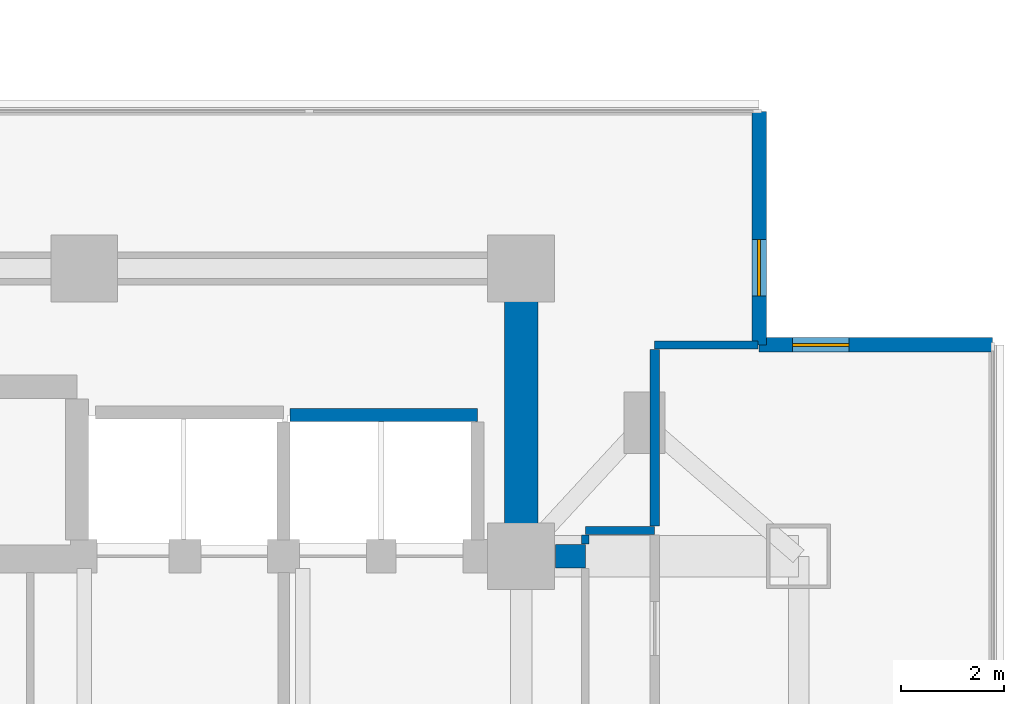
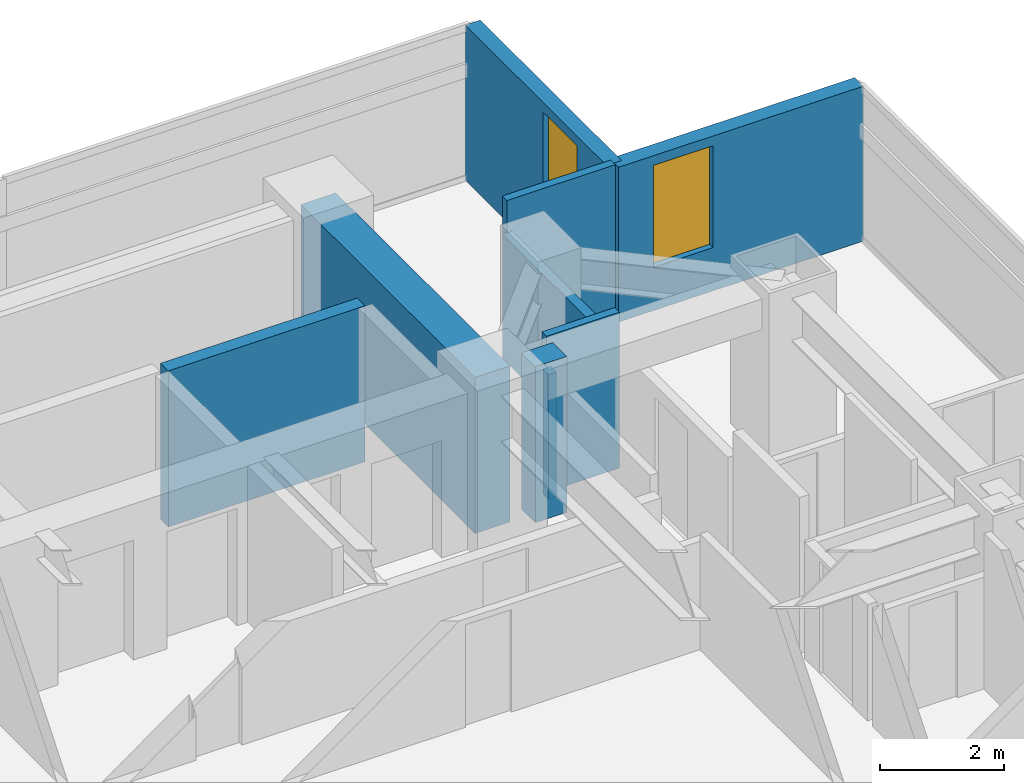
# One storey, part 19 of 27: 9 walls, 2 windows, 2 openings.
"""IFC4 building model written with IfcOpenShell, lengths in metres."""

from ifc_helpers import new_model, si_unit, direction, frame, frame_2d, origin, place, context, subcontext, project, spatial, rectangle, extrude, material, layer, layer_set, type_object, element, fill, save


model = new_model("IFC4")

# Units and contexts
model_context = context("Model", 3, precision=1e-05, world=origin(), true_north=direction((0.0, 1.0)))
body_context = subcontext(model_context, "Body", "Model", "MODEL_VIEW")
ifc_project = project(units=[si_unit("LENGTHUNIT", "METRE"), si_unit("AREAUNIT", "SQUARE_METRE"), si_unit("VOLUMEUNIT", "CUBIC_METRE"), si_unit("PLANEANGLEUNIT", "RADIAN"), si_unit("MASSUNIT", "GRAM", prefix="KILO")], contexts=[model_context])

# Site, building, storey
site_placement = place(None, origin())
site = spatial("IfcSite", under=ifc_project, at=site_placement, CompositionType="ELEMENT")
building_placement = place(site_placement, origin())
building = spatial("IfcBuilding", under=site, at=building_placement, Name="Mirazonda Arch Towers", CompositionType="ELEMENT")
storey_placement = place(building_placement, frame((0.0, 0.0, 55.39990234375)))
storey = spatial("IfcBuildingStorey", under=building, at=storey_placement, Name="L15", CompositionType="ELEMENT", Elevation=55.39990234375)

# Walls
ifc_material_1 = material(Name="Concrete C50/60", Category="concrete")
ifc_layer_1 = layer(ifc_material_1, 0.449951171875, Name="WALL-CORE-450")
ifc_layer_set_1 = layer_set([ifc_layer_1], Name="Concrete C50/60")
wall_type_1 = type_object("IfcWallType", Name="WALL-CORE-450", PredefinedType="SHEAR", material=ifc_layer_set_1)
wall_1_placement = place(storey_placement, frame((85.6650390625, 35.199951171875, 0.0), z_axis=(0.0, 0.0, 1.0), x_axis=(1.0, 0.0, 0.0)))
element("IfcWall", 1, at=wall_1_placement, inside=storey, type_object=wall_type_1, Name="L15 Stair Core Shear Wall 050", PredefinedType="SHEAR", context=body_context, shape_type="SweptSolid", body=[
    extrude(rectangle(XDim=0.5849609375, YDim=0.449951171875, at=frame_2d((0.29248046875, 0.0))), origin(), (0.0, 0.0, 1.0), 3.06005859375),
])
ifc_material_2 = material(Name="Concrete C60/75", Category="concrete")
ifc_layer_2 = layer(ifc_material_2, 0.64990234375, Name="WALL-CORE-650")
ifc_layer_set_2 = layer_set([ifc_layer_2], Name="Concrete C60/75")
wall_type_2 = type_object("IfcWallType", Name="WALL-CORE-650", PredefinedType="SHEAR", material=ifc_layer_set_2)
wall_2_placement = place(storey_placement, frame((85.0, 35.199951171875, 0.0), z_axis=(0.0, 0.0, 1.0), x_axis=(0.0, 1.0, 0.0)))
element("IfcWall", 2, at=wall_2_placement, inside=storey, type_object=wall_type_2, Name="L15 T2N-E Core Shear Wall", PredefinedType="SHEAR", context=body_context, shape_type="SweptSolid", body=[
    extrude(rectangle(XDim=5.60009765625, YDim=0.64990234375, at=frame_2d((2.800048828125, 0.0))), origin(), (0.0, 0.0, 1.0), 3.06005859375),
])

# Wall, opening, window
ifc_material_3 = material(Name="Precast Concrete C40/50", Category="concrete")
ifc_layer_3 = layer(ifc_material_3, 0.280029296875, Name="WALL-EXT-WALL-280")
ifc_layer_set_3 = layer_set([ifc_layer_3], Name="Precast Concrete C40/50")
wall_type_3 = type_object("IfcWallType", Name="WALL-EXT-WALL-280", PredefinedType="SOLIDWALL", material=ifc_layer_set_3)
wall_3_placement = place(storey_placement, frame((89.632080078125, 39.313232421875, 0.0), z_axis=(0.0, 0.0, 1.0), x_axis=(0.0, 1.0, 0.0)))
wall_3 = element("IfcWall", 3, at=wall_3_placement, inside=storey, type_object=wall_type_3, Name="L15 T2 Notched NE Corner Wall WL-L15-T2-CNE", PredefinedType="SOLIDWALL", context=body_context, shape_type="SweptSolid", body=[
    extrude(rectangle(XDim=4.546142578125, YDim=0.280029296875, at=frame_2d((2.27294921875, 0.0))), origin(), (0.0, 0.0, 1.0), 3.0400390625),
])
opening_1_placement = place(wall_3_placement, frame((0.949951171875, 0.0, 0.85009765625)))
opening_1 = element("IfcOpeningElement", 4, at=opening_1_placement, cuts=wall_3, Name="Opening WN-108", PredefinedType="OPENING", context=body_context, shape_type="SweptSolid", body=[
    extrude(rectangle(XDim=1.10009765625, YDim=2.0, at=frame_2d((0.550048828125, 1.0))), frame((0.0, 0.14990234375, 0.0), z_axis=(0.0, -1.0, 0.0), x_axis=(1.0, 0.0, 0.0)), (0.0, 0.0, 1.0), 0.300048828125),
])
ifc_material_4 = material(Name="Insulated Low-E Solar Glass", Category="glass")
window_type = type_object("IfcWindowType", Name="WIN-NOTCH-1100x2000", PartitioningType="SINGLE_PANEL", PredefinedType="WINDOW", material=ifc_material_4)
window_1_placement = place(opening_1_placement, origin())
window_1 = element("IfcWindow", 5, at=window_1_placement, inside=storey, type_object=window_type, Name="L15 Punched Facade Window WN-L15-T2-CNE", OverallHeight=2.0, OverallWidth=1.10009765625, PartitioningType="SINGLE_PANEL", PredefinedType="WINDOW", context=body_context, shape_type="SweptSolid", body=[
    extrude(rectangle(XDim=1.10009765625, YDim=2.0, at=frame_2d((0.550048828125, 1.0))), frame((0.0, 0.030029296875, 0.0), z_axis=(0.0, -1.0, 0.0), x_axis=(1.0, 0.0, 0.0)), (0.0, 0.0, 1.0), 0.06005859375),
])
fill(opening_1, window_1)

wall_4_placement = place(storey_placement, frame((94.177978515625, 39.313232421875, 0.0), z_axis=(0.0, 0.0, 1.0), x_axis=(-1.0, 0.0, 0.0)))
wall_4 = element("IfcWall", 6, at=wall_4_placement, inside=storey, type_object=wall_type_3, Name="L15 T2 Corner Notch Return Wall WL-L15-T2-CNE2", PredefinedType="SOLIDWALL", context=body_context, shape_type="SweptSolid", body=[
    extrude(rectangle(XDim=4.5458984375, YDim=0.280029296875, at=frame_2d((2.27294921875, 0.0))), origin(), (0.0, 0.0, 1.0), 3.0400390625),
])
opening_2_placement = place(wall_4_placement, frame((2.7958984375, 0.0, 0.85009765625)))
opening_2 = element("IfcOpeningElement", 7, at=opening_2_placement, cuts=wall_4, Name="Opening WN-108", PredefinedType="OPENING", context=body_context, shape_type="SweptSolid", body=[
    extrude(rectangle(XDim=1.10009765625, YDim=2.0, at=frame_2d((0.550048828125, 1.0))), frame((0.0, 0.14990234375, 0.0), z_axis=(0.0, -1.0, 0.0), x_axis=(1.0, 0.0, 0.0)), (0.0, 0.0, 1.0), 0.300048828125),
])
window_2_placement = place(opening_2_placement, origin())
window_2 = element("IfcWindow", 8, at=window_2_placement, inside=storey, type_object=window_type, Name="L15 Punched Facade Window WN-L15-T2-CNE2", OverallHeight=2.0, OverallWidth=1.10009765625, PartitioningType="SINGLE_PANEL", PredefinedType="WINDOW", context=body_context, shape_type="SweptSolid", body=[
    extrude(rectangle(XDim=1.10009765625, YDim=2.0, at=frame_2d((0.550048828125, 1.0))), frame((0.0, 0.030029296875, 0.0), z_axis=(0.0, -1.0, 0.0), x_axis=(1.0, 0.0, 0.0)), (0.0, 0.0, 1.0), 0.06005859375),
])
fill(opening_2, window_2)

# Walls
ifc_material_5 = material(Name="Fire-Rated Gypsum Stud Partition")
ifc_layer_4 = layer(ifc_material_5, 0.14990234375, Name="WALL-PART-CORR-150")
ifc_layer_set_4 = layer_set([ifc_layer_4], Name="Fire-Rated Gypsum Stud Partition")
wall_type_4 = type_object("IfcWallType", Name="WALL-PART-CORR-150", PredefinedType="PARTITIONING", material=ifc_layer_set_4)
wall_5_placement = place(storey_placement, frame((86.25, 35.699951171875, 0.0), z_axis=(0.0, 0.0, 1.0), x_axis=(1.0, 0.0, 0.0)))
element("IfcWall", 9, at=wall_5_placement, inside=storey, type_object=wall_type_4, Name="L15 Interior Partition 052", PredefinedType="PARTITIONING", context=body_context, shape_type="SweptSolid", body=[
    extrude(rectangle(XDim=1.35009765625, YDim=0.14990234375, at=frame_2d((0.675048828125, 0.0))), origin(), (0.0, 0.0, 1.0), 3.06005859375),
])
wall_6_placement = place(storey_placement, frame((87.60009765625, 39.31298828125, 0.0), z_axis=(0.0, 0.0, 1.0), x_axis=(1.0, 0.0, 0.0)))
element("IfcWall", 10, at=wall_6_placement, inside=storey, type_object=wall_type_4, Name="L15 Interior Partition 058", PredefinedType="PARTITIONING", context=body_context, shape_type="SweptSolid", body=[
    extrude(rectangle(XDim=2.011962890625, YDim=0.14990234375, at=frame_2d((1.005859375, 0.0))), origin(), (0.0, 0.0, 1.0), 3.06005859375),
])
wall_7_placement = place(storey_placement, frame((86.25, 35.43505859375, 0.0), z_axis=(0.0, 0.0, 1.0), x_axis=(0.0, 1.0, 0.0)))
element("IfcWall", 11, at=wall_7_placement, inside=storey, type_object=wall_type_4, Name="L15 Interior Partition 155", PredefinedType="PARTITIONING", context=body_context, shape_type="SweptSolid", body=[
    extrude(rectangle(XDim=0.179931640625, YDim=0.14990234375, at=frame_2d((0.08984375, 0.0))), origin(), (0.0, 0.0, 1.0), 2.4521484375),
])
ifc_material_6 = material(Name="Fire-Rated Gypsum Twin-Stud Assembly")
ifc_layer_5 = layer(ifc_material_6, 0.179931640625, Name="WALL-PART-DEMISE-180")
ifc_layer_set_5 = layer_set([ifc_layer_5], Name="Fire-Rated Gypsum Twin-Stud Assembly")
wall_type_5 = type_object("IfcWallType", Name="WALL-PART-DEMISE-180", PredefinedType="PARTITIONING", material=ifc_layer_set_5)
wall_8_placement = place(storey_placement, frame((87.60009765625, 35.784912109375, 0.0), z_axis=(0.0, 0.0, 1.0), x_axis=(0.0, 1.0, 0.0)))
element("IfcWall", 12, at=wall_8_placement, inside=storey, type_object=wall_type_5, Name="L15 Interior Partition 163", PredefinedType="PARTITIONING", context=body_context, shape_type="SweptSolid", body=[
    extrude(rectangle(XDim=3.443115234375, YDim=0.179931640625, at=frame_2d((1.7216796875, 0.0))), origin(), (0.0, 0.0, 1.0), 2.43603515625),
])
ifc_material_7 = material(Name="Concrete C40/50", Category="concrete")
ifc_layer_6 = layer(ifc_material_7, 0.25, Name="WALL-SHAFT-250")
ifc_layer_set_6 = layer_set([ifc_layer_6], Name="Concrete C40/50")
wall_type_6 = type_object("IfcWallType", Name="WALL-SHAFT-250", PredefinedType="SOLIDWALL", material=ifc_layer_set_6)
wall_9_placement = place(storey_placement, frame((80.5, 37.949951171875, 0.0), z_axis=(0.0, 0.0, 1.0), x_axis=(1.0, 0.0, 0.0)))
element("IfcWall", 13, at=wall_9_placement, inside=storey, type_object=wall_type_6, Name="L15 Interior Partition 054", PredefinedType="SOLIDWALL", context=body_context, shape_type="SweptSolid", body=[
    extrude(rectangle(XDim=3.64990234375, YDim=0.25, at=frame_2d((1.824951171875, 0.0))), origin(), (0.0, 0.0, 1.0), 3.06005859375),
])

save(model, "model.ifc")
